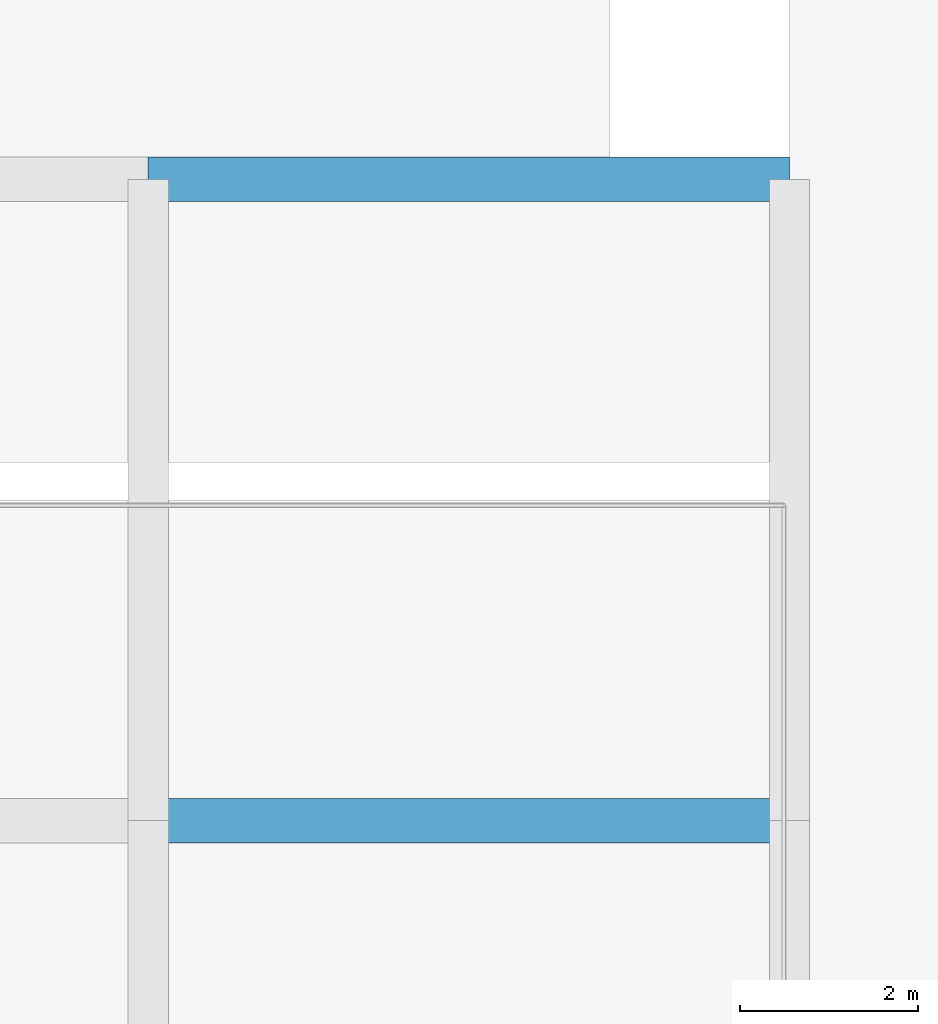
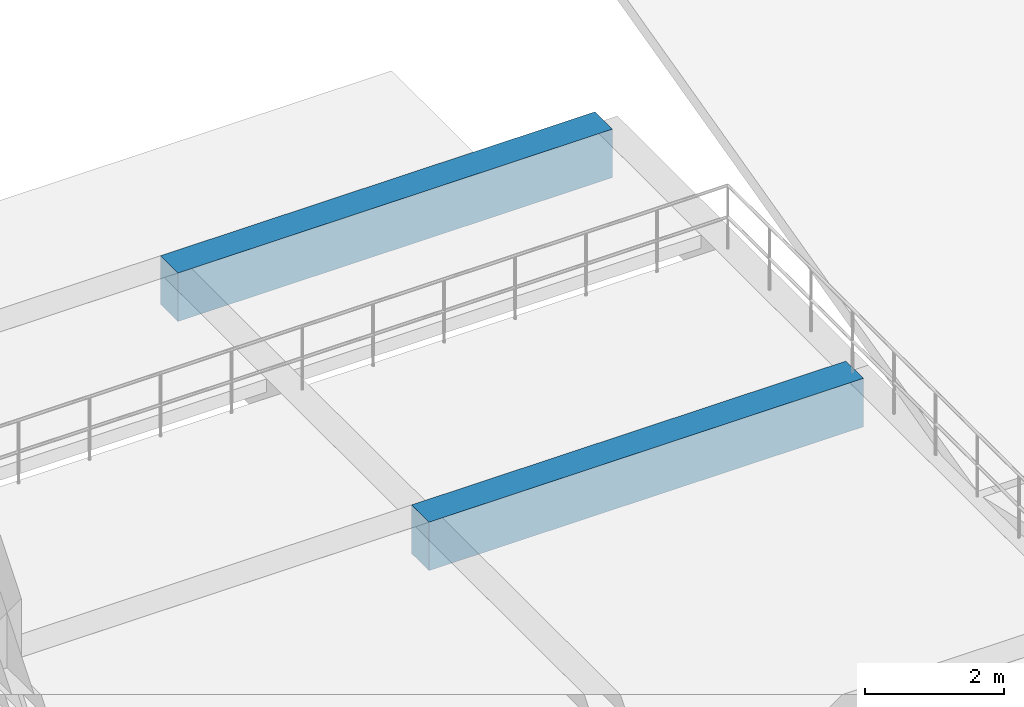
# One storey, part 44 of 141: 2 beams.
"""IFC4 building model written with IfcOpenShell, lengths in metres."""

import ifcopenshell
import ifcopenshell.guid

model = None  # the IFC model being written
_history = None  # IfcOwnerHistory: only IFC2X3 demands one
_inside = {}  # id of a spatial element -> (the spatial element, [elements in it])
_under = {}  # id of a project, library or spatial element -> (it, [spatial elements below it])
_declared = {}  # id of a project -> (the project, [libraries it declares])
_typed = {}  # id of a type object -> (the type object, [elements of that type])
_made_of = {}  # id of a material, layer set ... -> (it, [elements and type objects made of it])


def new_model(schema):
    """Start an empty IFC model of exactly this schema.

    Asked for "IFC4X3", IfcOpenShell would pick the latest addendum, in which some entities
    have other attributes; the version numbers below select the first issue.
    IFC2X3 requires an IfcOwnerHistory on every rooted entity: one is made here for all.
    """
    global model, _history
    if schema == "IFC4X3":
        model = ifcopenshell.file(schema_version=(4, 3, 0, 0))
    else:
        model = ifcopenshell.file(schema=schema)
    _inside.clear()
    _under.clear()
    _declared.clear()
    _typed.clear()
    _made_of.clear()
    _history = None
    if model.schema == "IFC2X3":
        org = make("IfcOrganization", Name="unknown")
        user = make(
            "IfcPersonAndOrganization",
            ThePerson=make("IfcPerson", FamilyName="unknown"),
            TheOrganization=org,
        )
        app = make(
            "IfcApplication",
            ApplicationDeveloper=org,
            Version="unknown",
            ApplicationFullName="unknown",
            ApplicationIdentifier="unknown",
        )
        _history = make(
            "IfcOwnerHistory",
            OwningUser=user,
            OwningApplication=app,
            ChangeAction="ADDED",
            CreationDate=0,
        )
    return model


def make(cls, **values):
    """One entity of the class cls with the attributes given. An attribute that is None is left unset."""
    return model.create_entity(
        cls, **{name: value for name, value in values.items() if value is not None}
    )


def rooted(cls, **values):
    """An entity with a GlobalId (a new one), such as an element, a storey or a relation."""
    return make(cls, GlobalId=ifcopenshell.guid.new(), OwnerHistory=_history, **values)


def si_unit(unit_type, name, prefix=None):
    """IfcSIUnit, for example si_unit("LENGTHUNIT", "METRE", prefix="MILLI")."""
    return make("IfcSIUnit", UnitType=unit_type, Prefix=prefix, Name=name)


def assignment(units):
    """IfcUnitAssignment: the units of a project."""
    return None if units is None else make("IfcUnitAssignment", Units=units)


def point(xyz):
    """IfcCartesianPoint."""
    return None if xyz is None else make("IfcCartesianPoint", Coordinates=xyz)


def direction(xyz):
    """IfcDirection."""
    return None if xyz is None else make("IfcDirection", DirectionRatios=xyz)


def frame(location, z_axis=None, x_axis=None):
    """IfcAxis2Placement3D, a coordinate frame: its origin and axes. An axis left out is left unset."""
    return make(
        "IfcAxis2Placement3D",
        Location=point(location),
        Axis=direction(z_axis),
        RefDirection=direction(x_axis),
    )


def frame_2d(location, x_axis=None):
    """IfcAxis2Placement2D, a coordinate frame in the plane: its origin and x axis."""
    return make(
        "IfcAxis2Placement2D", Location=point(location), RefDirection=direction(x_axis)
    )


def origin():
    """The frame at (0, 0, 0) with its axes left unset."""
    return frame((0.0, 0.0, 0.0))


def origin_2d():
    """The frame at (0, 0) in the plane with its x axis left unset."""
    return frame_2d((0.0, 0.0))


def place(relative_to, where):
    """IfcLocalPlacement: puts the frame where relative to a parent placement (None: the world)."""
    return make(
        "IfcLocalPlacement", PlacementRelTo=relative_to, RelativePlacement=where
    )


def context(
    kind, dimensions, precision=None, world=None, true_north=None, identifier=None
):
    """IfcGeometricRepresentationContext, for example the 3D "Model" context."""
    return make(
        "IfcGeometricRepresentationContext",
        ContextIdentifier=identifier,
        ContextType=kind,
        CoordinateSpaceDimension=dimensions,
        Precision=precision,
        WorldCoordinateSystem=world,
        TrueNorth=true_north,
    )


def subcontext(parent, identifier, kind, view, scale=None):
    """IfcGeometricRepresentationSubContext, for example "Body" below "Model"."""
    return make(
        "IfcGeometricRepresentationSubContext",
        ContextIdentifier=identifier,
        ContextType=kind,
        ParentContext=parent,
        TargetScale=scale,
        TargetView=view,
    )


def project(units=None, contexts=None):
    """IfcProject with its units and contexts."""
    return rooted(
        "IfcProject",
        Name="project",
        RepresentationContexts=contexts,
        UnitsInContext=assignment(units),
    )


def spatial(cls, under=None, at=None, **own):
    """A site, building, storey or space (cls), placed at a placement, below another one or the project."""
    s = rooted(cls, ObjectPlacement=at, **own)
    if under is not None:
        _under.setdefault(under.id(), (under, []))[1].append(s)
    return s


def profile(cls, at=None, kind="AREA", **sizes):
    """A parametric profile (cls). Its sizes go by their IFC names, for example OverallWidth=200.0."""
    return make(cls, ProfileType=kind, Position=at, **sizes)


def rectangle(**sizes):
    """IfcRectangleProfileDef."""
    return profile("IfcRectangleProfileDef", **sizes)


def extrude(swept, where, along, depth):
    """IfcExtrudedAreaSolid: the profile swept, set in the frame where, extruded along a direction by depth."""
    return make(
        "IfcExtrudedAreaSolid",
        SweptArea=swept,
        Position=where,
        ExtrudedDirection=direction(along),
        Depth=depth,
    )


def shape(context_of_items, identifier, shape_type, items):
    """IfcShapeRepresentation: the items that make up one representation, for example the "Body"."""
    return make(
        "IfcShapeRepresentation",
        ContextOfItems=context_of_items,
        RepresentationIdentifier=identifier,
        RepresentationType=shape_type,
        Items=items,
    )


def material(Name=None, Category=None):
    """IfcMaterial."""
    return make("IfcMaterial", Name=Name, Category=Category)


def material_profile(
    of_material, cross_section, Name=None, Category=None, Priority=None
):
    """IfcMaterialProfile: a cross section and its material."""
    return make(
        "IfcMaterialProfile",
        Name=Name,
        Material=of_material,
        Profile=cross_section,
        Priority=Priority,
        Category=Category,
    )


def profile_set(profiles, Name=None, composite=None):
    """IfcMaterialProfileSet."""
    return make(
        "IfcMaterialProfileSet",
        Name=Name,
        MaterialProfiles=profiles,
        CompositeProfile=composite,
    )


def made_of(thing, what):
    """Note that an element or type object is made of a material, layer set ...; save() writes the relation."""
    if what is not None:
        _made_of.setdefault(what.id(), (what, []))[1].append(thing)
    return thing


def type_object(cls, material=None, **own):
    """A type object (cls), such as IfcWallType, which elements share."""
    return made_of(rooted(cls, **own), material)


def element(
    cls,
    number,
    at=None,
    inside=None,
    cuts=None,
    type_object=None,
    material=None,
    context=None,
    identifier="Body",
    shape_type=None,
    held_by="IfcProductDefinitionShape",
    body=None,
    shapes=None,
    **own,
):
    """One element of the class cls, such as IfcWall. Its Tag is "e" and its number.

    at: its placement. inside: the storey or other place that contains it. cuts: it is an
    opening in that element (IfcRelVoidsElement). A single representation is given by context,
    identifier, shape_type and body (its items); several are given by shapes. held_by: the class
    of the entity that holds the representations. save() writes the other relations.
    """
    e = rooted(cls, Tag="e%d" % number, ObjectPlacement=at, **own)
    if body is not None:
        shapes = [shape(context, identifier, shape_type, body)]
    if shapes is not None:
        e.Representation = make(held_by, Representations=shapes)
    if inside is not None:
        _inside.setdefault(inside.id(), (inside, []))[1].append(e)
    if cuts is not None:
        rooted(
            "IfcRelVoidsElement", RelatingBuildingElement=cuts, RelatedOpeningElement=e
        )
    if type_object is not None:
        _typed.setdefault(type_object.id(), (type_object, []))[1].append(e)
    return made_of(e, material)


def aggregate(whole, parts):
    """IfcRelAggregates: a whole, such as a stair, and the parts it consists of."""
    return rooted("IfcRelAggregates", RelatingObject=whole, RelatedObjects=parts)


def save(model, path):
    """Write the relations noted so far, then the file.

    IfcRelAggregates (storeys below a building ...), IfcRelContainedInSpatialStructure (elements
    in a storey), IfcRelDefinesByType, IfcRelAssociatesMaterial and IfcRelDeclares: one each for
    every whole, place, type object, material and project.
    """
    for whole, parts in _under.values():
        aggregate(whole, parts)
    for where, things in _inside.values():
        rooted(
            "IfcRelContainedInSpatialStructure",
            RelatedElements=things,
            RelatingStructure=where,
        )
    for kind, things in _typed.values():
        rooted("IfcRelDefinesByType", RelatedObjects=things, RelatingType=kind)
    for what, things in _made_of.values():
        rooted("IfcRelAssociatesMaterial", RelatedObjects=things, RelatingMaterial=what)
    for by, libraries in _declared.values():
        rooted("IfcRelDeclares", RelatingContext=by, RelatedDefinitions=libraries)
    model.write(path)


model = new_model("IFC4")

# Units and contexts
model_context = context("Model", 3, precision=1e-05, world=origin(), true_north=direction((0.0, 1.0)))
body_context = subcontext(model_context, "Body", "Model", "MODEL_VIEW")
ifc_project = project(units=[si_unit("LENGTHUNIT", "METRE"), si_unit("AREAUNIT", "SQUARE_METRE"), si_unit("VOLUMEUNIT", "CUBIC_METRE"), si_unit("PLANEANGLEUNIT", "RADIAN"), si_unit("MASSUNIT", "GRAM", prefix="KILO")], contexts=[model_context])

# Site, building, storey
site_placement = place(None, origin())
site = spatial("IfcSite", under=ifc_project, at=site_placement, CompositionType="ELEMENT")
building_placement = place(site_placement, origin())
building = spatial("IfcBuilding", under=site, at=building_placement, Name="Seraya Terrace Polytechnic", CompositionType="ELEMENT")
storey_placement = place(building_placement, frame((0.0, 0.0, 14.39990234375)))
storey = spatial("IfcBuildingStorey", under=building, at=storey_placement, Name="L03", CompositionType="ELEMENT", Elevation=14.39990234375)

# Beams
ifc_material = material(Name="Concrete C40/50", Category="concrete")
ifc_material_profile = material_profile(ifc_material, rectangle(XDim=0.5, YDim=0.85009765625, at=origin_2d()), Name="RC 500x850")
ifc_profile_set = profile_set([ifc_material_profile], Name="Concrete C40/50")
beam_type = type_object("IfcBeamType", Name="BM-05", PredefinedType="BEAM", material=ifc_profile_set)
for number, where, z_axis, x_axis, name in (
    (1, (122.39990234375, 21.60009765625, -0.4248046875), (1.0, 0.0, 0.0), (0.0, 1.0, 0.0), "Beam BM-05 L03 X (122.4..129.6, 21.6)"),
    (2, (122.39990234375, 28.800048828125, -0.4248046875), (1.0, 0.0, 0.0), (0.0, 1.0, 0.0), "Beam BM-05 L03 X (122.4..129.6, 28.8)"),
):
    element("IfcBeam", number, at=place(storey_placement, frame(where, z_axis=z_axis, x_axis=x_axis)), inside=storey, type_object=beam_type, Name=name, PredefinedType="BEAM", context=body_context, shape_type="SweptSolid", body=[
        extrude(rectangle(XDim=0.5, YDim=0.85009765625, at=origin_2d()), origin(), (0.0, 0.0, 1.0), 7.2001953125),
    ])

save(model, "model.ifc")
